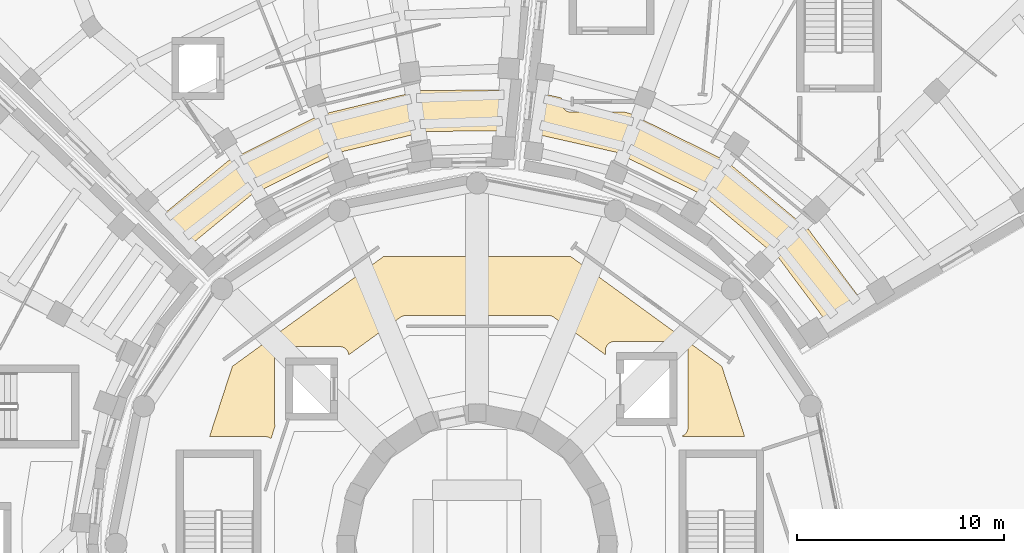
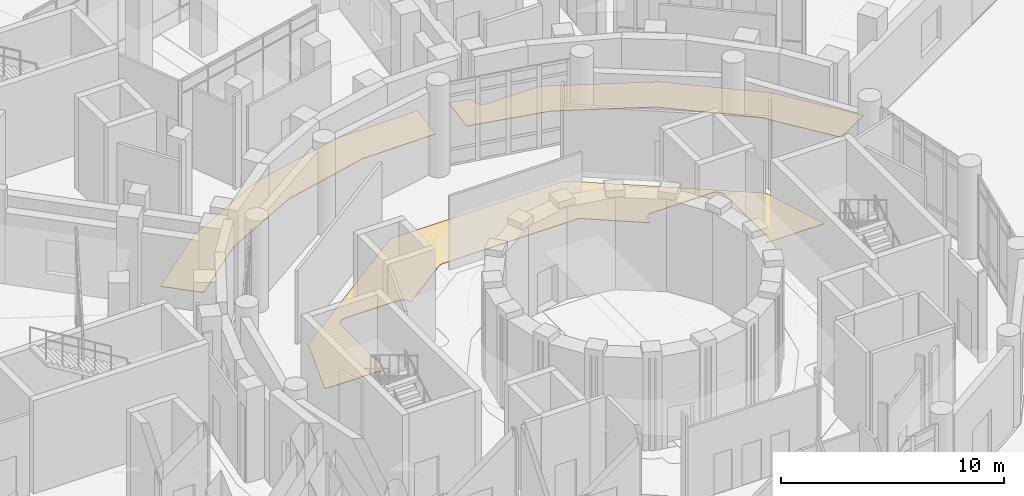
# One storey, part 67 of 74: 3 coverings.
"""IFC4 building model written with IfcOpenShell, lengths in metres."""

from ifc_helpers import new_model, si_unit, direction, origin, place, context, subcontext, project, spatial, polyline, outline, extrude, material, layer, layer_set, type_object, element, save


model = new_model("IFC4")

# Units and contexts
model_context = context("Model", 3, precision=1e-05, world=origin(), true_north=direction((0.0, 1.0)))
body_context = subcontext(model_context, "Body", "Model", "MODEL_VIEW")
ifc_project = project(units=[si_unit("LENGTHUNIT", "METRE"), si_unit("AREAUNIT", "SQUARE_METRE"), si_unit("VOLUMEUNIT", "CUBIC_METRE"), si_unit("PLANEANGLEUNIT", "RADIAN"), si_unit("MASSUNIT", "GRAM", prefix="KILO")], contexts=[model_context])

# Site, building, storey
site_placement = place(None, origin())
site = spatial("IfcSite", under=ifc_project, at=site_placement, CompositionType="ELEMENT")
building_placement = place(site_placement, origin())
building = spatial("IfcBuilding", under=site, at=building_placement, Name="Soyqirgoq Riverine Aquarium", CompositionType="ELEMENT")
storey_placement = place(building_placement, origin())
storey = spatial("IfcBuildingStorey", under=building, at=storey_placement, Name="L01", CompositionType="ELEMENT", Elevation=0.0)

# Coverings
ifc_material = material(Name="Polished Chirchiq river-pebble terrazzo flooring", Category="concrete")
ifc_layer = layer(ifc_material, 0.030029296875)
ifc_layer_set = layer_set([ifc_layer], Name="Polished Chirchiq river-pebble terrazzo flooring")
covering_type = type_object("IfcCoveringType", Name="TerrazzoFloorFinish_30", PredefinedType="FLOORING", material=ifc_layer_set)
covering_1_placement = place(storey_placement, origin())
element("IfcCovering", 1, at=covering_1_placement, inside=storey, type_object=covering_type, Name="Ocean Drum Circulation Corridor Floor Finish", PredefinedType="FLOORING", context=body_context, shape_type="SweptSolid", body=[
    extrude(outline(polyline([(46.0, 62.1240234375), (45.9619140625, 62.14697265625), (45.922119140625, 62.166015625), (45.881103515625, 62.180908203125), (45.837890625, 62.19091796875), (45.7939453125, 62.197998046875), (45.75, 62.199951171875), (43.06298828125, 62.199951171875), (44.1669921875, 65.596923828125), (51.47998046875, 70.910888671875), (60.52001953125, 70.910888671875), (67.8330078125, 65.596923828125), (68.93701171875, 62.199951171875), (65.93408203125, 62.199951171875), (65.922119140625, 62.23388671875), (65.9619140625, 62.2529296875), (66.0, 62.27587890625), (66.034912109375, 62.302001953125), (66.068115234375, 62.33203125), (66.097900390625, 62.364990234375), (66.1240234375, 62.39990234375), (66.14697265625, 62.43798828125), (66.166015625, 62.47802734375), (66.180908203125, 62.51904296875), (66.19091796875, 62.56201171875), (66.197998046875, 62.60595703125), (66.199951171875, 62.64990234375), (66.199951171875, 66.35009765625), (66.197998046875, 66.39404296875), (66.19091796875, 66.43798828125), (66.180908203125, 66.48095703125), (66.166015625, 66.52197265625), (66.14697265625, 66.56201171875), (66.1240234375, 66.60009765625), (66.097900390625, 66.635009765625), (66.068115234375, 66.66796875), (66.034912109375, 66.697998046875), (66.0, 66.72412109375), (65.9619140625, 66.7470703125), (65.922119140625, 66.76611328125), (65.881103515625, 66.781005859375), (65.837890625, 66.791015625), (65.7939453125, 66.798095703125), (65.75, 66.800048828125), (62.64990234375, 66.800048828125), (62.60595703125, 66.798095703125), (62.56201171875, 66.791015625), (62.51904296875, 66.781005859375), (62.47802734375, 66.76611328125), (62.43798828125, 66.7470703125), (62.39990234375, 66.72412109375), (62.364990234375, 66.697998046875), (62.33203125, 66.66796875), (62.302001953125, 66.635009765625), (62.27587890625, 66.60009765625), (62.2529296875, 66.56201171875), (62.23388671875, 66.52197265625), (62.218994140625, 66.48095703125), (62.208984375, 66.43798828125), (62.201904296875, 66.39404296875), (62.199951171875, 66.35009765625), (62.199951171875, 66.158935546875), (59.7099609375, 67.968017578125), (59.669921875, 67.993896484375), (59.62890625, 68.014892578125), (59.5849609375, 68.031982421875), (59.5390625, 68.0439453125), (59.492919921875, 68.052001953125), (59.446044921875, 68.053955078125), (52.553955078125, 68.053955078125), (52.507080078125, 68.052001953125), (52.4609375, 68.0439453125), (52.4150390625, 68.031982421875), (52.37109375, 68.014892578125), (52.330078125, 67.993896484375), (52.2900390625, 67.968017578125), (49.7958984375, 66.156005859375), (49.791015625, 66.18798828125), (49.781005859375, 66.23095703125), (49.76611328125, 66.27197265625), (49.7470703125, 66.31201171875), (49.72412109375, 66.35009765625), (49.697998046875, 66.385009765625), (49.66796875, 66.41796875), (49.635009765625, 66.447998046875), (49.60009765625, 66.47412109375), (49.56201171875, 66.4970703125), (49.52197265625, 66.51611328125), (49.48095703125, 66.531005859375), (49.43798828125, 66.541015625), (49.39404296875, 66.548095703125), (49.35009765625, 66.550048828125), (46.64990234375, 66.550048828125), (46.60595703125, 66.548095703125), (46.56201171875, 66.541015625), (46.51904296875, 66.531005859375), (46.47802734375, 66.51611328125), (46.43798828125, 66.4970703125), (46.39990234375, 66.47412109375), (46.364990234375, 66.447998046875), (46.33203125, 66.41796875), (46.302001953125, 66.385009765625), (46.27587890625, 66.35009765625), (46.2529296875, 66.31201171875), (46.23388671875, 66.27197265625), (46.218994140625, 66.23095703125), (46.208984375, 66.18798828125), (46.201904296875, 66.14404296875), (46.199951171875, 66.10009765625), (46.199951171875, 62.89990234375), (46.201904296875, 62.85595703125), (46.208984375, 62.81201171875), (46.218994140625, 62.76904296875), (46.23388671875, 62.72802734375), (46.236083984375, 62.722900390625), (46.033935546875, 62.09912109375), (46.0, 62.1240234375)])), origin(), (0.0, 0.0, 1.0), 0.030029296875),
])
covering_2_placement = place(storey_placement, origin())
element("IfcCovering", 2, at=covering_2_placement, inside=storey, type_object=covering_type, Name="V4 Gallery Circulation Corridor Floor Finish", PredefinedType="FLOORING", context=body_context, shape_type="SweptSolid", body=[
    extrude(outline(polyline([(57.3359375, 76.986083984375), (53.60107421875, 76.952880859375), (53.550048828125, 76.949951171875), (53.5, 76.94091796875), (49.174072265625, 75.903076171875), (49.125, 75.887939453125), (49.0791015625, 75.867919921875), (45.096923828125, 73.883056640625), (45.052978515625, 73.85693359375), (45.011962890625, 73.826904296875), (42.12890625, 71.450927734375), (40.695068359375, 72.8359375), (43.965087890625, 75.531982421875), (48.44189453125, 77.764892578125), (53.306884765625, 78.931884765625), (57.544921875, 78.968994140625), (57.3359375, 76.986083984375)])), origin(), (0.0, 0.0, 1.0), 0.030029296875),
])
covering_3_placement = place(storey_placement, origin())
element("IfcCovering", 3, at=covering_3_placement, inside=storey, type_object=covering_type, Name="V5 Gallery Circulation Corridor Floor Finish", PredefinedType="FLOORING", context=body_context, shape_type="SweptSolid", body=[
    extrude(outline(polyline([(63.3759765625, 77.8291015625), (68.034912109375, 75.531982421875), (72.029052734375, 72.2099609375), (74.678955078125, 68.662109375), (72.951904296875, 67.6650390625), (70.614013671875, 70.794921875), (70.580078125, 70.8359375), (70.541015625, 70.8720703125), (66.989990234375, 73.825927734375), (66.947021484375, 73.85693359375), (66.90087890625, 73.883056640625), (62.758056640625, 75.926025390625), (62.7099609375, 75.947021484375), (62.658935546875, 75.9619140625), (58.847900390625, 76.823974609375), (59.055908203125, 78.806884765625), (60.090087890625, 78.572998046875), (60.090087890625, 78.340087890625), (60.092041015625, 78.2958984375), (60.09912109375, 78.251953125), (60.10888671875, 78.208984375), (60.1240234375, 78.16796875), (60.14306640625, 78.1279296875), (60.166015625, 78.090087890625), (60.19189453125, 78.054931640625), (60.221923828125, 78.02197265625), (60.2548828125, 77.991943359375), (60.2900390625, 77.966064453125), (60.327880859375, 77.943115234375), (60.367919921875, 77.924072265625), (60.408935546875, 77.908935546875), (60.451904296875, 77.89892578125), (60.49609375, 77.89208984375), (60.5400390625, 77.889892578125), (63.10791015625, 77.889892578125), (63.3759765625, 77.8291015625)])), origin(), (0.0, 0.0, 1.0), 0.030029296875),
])

save(model, "model.ifc")
